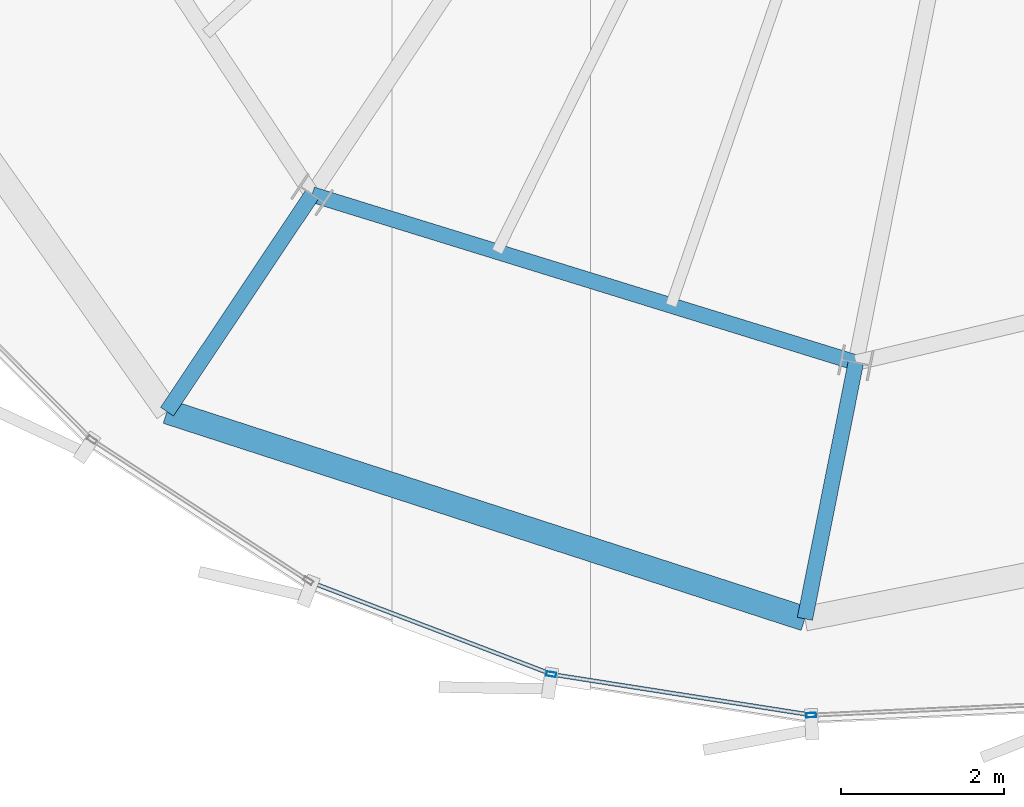
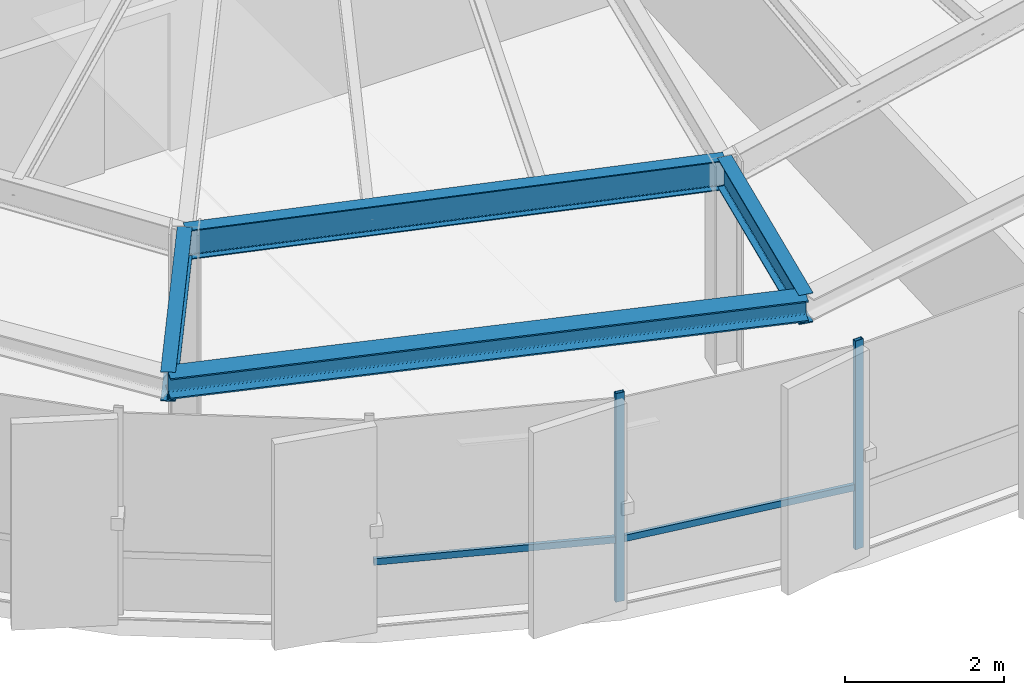
# One storey, part 3 of 31: 4 beams, 4 members, 1 element without a shape of its own.
"""IFC4 building model written with IfcOpenShell, lengths in metres."""

from ifc_helpers import new_model, si_unit, direction, frame, origin, origin_2d, place, context, subcontext, project, spatial, hollow_rectangle, i_section, extrude, source, transform, mapped, material, layer, layer_set, material_profile, profile_set, type_object, element, aggregate, save


model = new_model("IFC4")

# Units and contexts
model_context = context("Model", 3, precision=1e-05, world=origin(), true_north=direction((0.0, 1.0)))
body_context = subcontext(model_context, "Body", "Model", "MODEL_VIEW")
ifc_project = project(units=[si_unit("LENGTHUNIT", "METRE"), si_unit("AREAUNIT", "SQUARE_METRE"), si_unit("VOLUMEUNIT", "CUBIC_METRE"), si_unit("PLANEANGLEUNIT", "RADIAN"), si_unit("MASSUNIT", "GRAM", prefix="KILO"), si_unit("THERMODYNAMICTEMPERATUREUNIT", "KELVIN")], contexts=[model_context])

# Site, building, storey
site_placement = place(None, origin())
site = spatial("IfcSite", under=ifc_project, at=site_placement, CompositionType="ELEMENT")
building_placement = place(site_placement, origin())
building = spatial("IfcBuilding", under=site, at=building_placement, Name="Kethvar Cultural Tower", CompositionType="ELEMENT")
storey_placement = place(building_placement, frame((0.0, 0.0, 287.050048828125)))
storey = spatial("IfcBuildingStorey", under=building, at=storey_placement, Name="L76", CompositionType="ELEMENT", Elevation=287.050048828125)

# Beams
ifc_material_1 = material(Name="Steel S355J2", Category="steel")
ifc_material_profile_1 = material_profile(ifc_material_1, i_section(OverallWidth=0.18994140625, OverallDepth=0.449951171875, WebThickness=0.009521484375, FlangeThickness=0.0146484375, FilletRadius=0.02099609375, at=origin_2d()), Name="Steel S355J2 — IPE450")
ifc_profile_set_1 = profile_set([ifc_material_profile_1], Name="Steel S355J2 — IPE450")
beam_type_1 = type_object("IfcBeamType", Name="BM-IPE450", PredefinedType="BEAM", material=ifc_profile_set_1)
shared_shape_1 = source(origin(), body_context, "Body", "SweptSolid", [
    extrude(i_section(OverallWidth=0.18994140625, OverallDepth=0.449951171875, WebThickness=0.009521484375, FlangeThickness=0.0146484375, FilletRadius=0.02099609375, at=origin_2d()), origin(), (0.0, 0.0, 1.0), 3.199951171875),
])
beam_1_placement = place(storey_placement, frame((36.731201171875, 12.73095703125, 2.98291015625), z_axis=(-0.555580212716, -0.831462943996, 0.0), x_axis=(0.831462943996, -0.555580212716, 0.0)))
element("IfcBeam", 1, at=beam_1_placement, inside=storey, type_object=beam_type_1, Name="L76 Perimeter Cantilever Beam RC-11", PredefinedType="BEAM", context=body_context, shape_type="MappedRepresentation", body=[
    mapped(shared_shape_1, transform((0.0, 0.0, 0.0), scale=1.0)),
])
shared_shape_2 = source(origin(), body_context, "Body", "SweptSolid", [
    extrude(i_section(OverallWidth=0.18994140625, OverallDepth=0.449951171875, WebThickness=0.009521484375, FlangeThickness=0.0146484375, FilletRadius=0.02099609375, at=origin_2d()), origin(), (0.0, 0.0, 1.0), 3.2001953125),
])
beam_2_placement = place(storey_placement, frame((43.392822265625, 10.67138671875, 2.98291015625), z_axis=(-0.195074368086, -0.980788453702, 0.0), x_axis=(0.980788453702, -0.195074368086, 0.0)))
element("IfcBeam", 2, at=beam_2_placement, inside=storey, type_object=beam_type_1, Name="L76 Perimeter Cantilever Beam RC-12", PredefinedType="BEAM", context=body_context, shape_type="MappedRepresentation", body=[
    mapped(shared_shape_2, transform((0.0, 0.0, 0.0), scale=1.0)),
])
shared_shape_3 = source(origin(), body_context, "Body", "SweptSolid", [
    extrude(i_section(OverallWidth=0.18994140625, OverallDepth=0.449951171875, WebThickness=0.009521484375, FlangeThickness=0.0146484375, FilletRadius=0.02099609375, at=origin_2d()), origin(), (0.0, 0.0, 1.0), 6.97265625),
])
beam_3_placement = place(storey_placement, frame((36.731201171875, 12.73095703125, 2.98291015625), z_axis=(0.955381444404, -0.295374839295, 0.0), x_axis=(0.295374839295, 0.955381444404, 0.0)))
element("IfcBeam", 3, at=beam_3_placement, inside=storey, type_object=beam_type_1, Name="L76 Column Ring Tie Beam CR-11", PredefinedType="BEAM", context=body_context, shape_type="MappedRepresentation", body=[
    mapped(shared_shape_3, transform((0.0, 0.0, 0.0), scale=1.0)),
])
ifc_material_profile_2 = material_profile(ifc_material_1, i_section(OverallWidth=0.300048828125, OverallDepth=0.320068359375, WebThickness=0.011474609375, FlangeThickness=0.0205078125, FilletRadius=0.027099609375, at=origin_2d()), Name="Steel S355J2 — HEB320")
ifc_profile_set_2 = profile_set([ifc_material_profile_2], Name="Steel S355J2 — HEB320")
beam_type_2 = type_object("IfcBeamType", Name="BM-SP320", PredefinedType="SPANDREL", material=ifc_profile_set_2)
shared_shape_4 = source(origin(), body_context, "Body", "SweptSolid", [
    extrude(i_section(OverallWidth=0.300048828125, OverallDepth=0.320068359375, WebThickness=0.011474609375, FlangeThickness=0.0205078125, FilletRadius=0.027099609375, at=origin_2d()), origin(), (0.0, 0.0, 1.0), 8.216796875),
])
beam_4_placement = place(storey_placement, frame((34.953369140625, 10.0703125, 3.0478515625), z_axis=(0.951117661456, -0.30882874553, 0.0), x_axis=(0.30882874553, 0.951117661456, 0.0)))
element("IfcBeam", 4, at=beam_4_placement, inside=storey, type_object=beam_type_2, Name="L76 Perimeter Spandrel Beam SP-11", PredefinedType="SPANDREL", context=body_context, shape_type="MappedRepresentation", body=[
    mapped(shared_shape_4, transform((0.0, 0.0, 0.0), scale=1.0)),
])

# Curtain wall, members
ifc_material_2 = material(Name="Aluminium 6063-T6", Category="aluminium")
ifc_layer = layer(ifc_material_2, 0.179931640625, Name="Aluminium 6063-T6", Category="aluminium")
ifc_layer_set = layer_set([ifc_layer], Name="Aluminium 6063-T6 (180 mm)")
curtain_wall_type = type_object("IfcCurtainWallType", Name="CW-SYS-05-Z56", PredefinedType="NOTDEFINED", material=ifc_layer_set)
curtain_wall_placement = place(storey_placement, origin())
curtain_wall = element("IfcCurtainWall", 5, at=curtain_wall_placement, inside=storey, type_object=curtain_wall_type, Name="L76 Curtain Wall Run 04", PredefinedType="NOTDEFINED")
ifc_material_profile_3 = material_profile(ifc_material_2, hollow_rectangle(XDim=0.054931640625, YDim=0.1201171875, WallThickness=0.00390625, at=origin_2d()), Name="Aluminium 6063-T6 — RHS120x55x4")
ifc_profile_set_3 = profile_set([ifc_material_profile_3], Name="Aluminium 6063-T6 — RHS120x55x4")
member_type_1 = type_object("IfcMemberType", Name="CW-SYS-05-Z56-MUL", PredefinedType="MULLION", material=ifc_profile_set_3)
shared_shape_5 = source(origin(), body_context, "Body", "SweptSolid", [
    extrude(hollow_rectangle(XDim=0.054931640625, YDim=0.1201171875, WallThickness=0.00390625, at=origin_2d()), origin(), (0.0, 0.0, 1.0), 3.2099609375),
])
member_1_placement = place(storey_placement, frame((39.6611328125, 6.85302734375, 0.0), z_axis=(0.0, 0.0, 1.0), x_axis=(0.154693143123, 0.987962565825, 0.0)))
member_1 = element("IfcMember", 6, at=member_1_placement, type_object=member_type_1, Name="CW-L76-R04 Mullion 2", PredefinedType="MULLION", context=body_context, shape_type="MappedRepresentation", body=[
    mapped(shared_shape_5, transform((0.0, 0.0, 0.0), scale=1.0)),
])
member_2_placement = place(storey_placement, frame((42.845947265625, 6.352294921875, 0.0), z_axis=(0.0, 0.0, 1.0), x_axis=(-0.045903476556, 0.998945879835, 0.0)))
member_2 = element("IfcMember", 7, at=member_2_placement, type_object=member_type_1, Name="CW-L76-R04 Mullion 3", PredefinedType="MULLION", context=body_context, shape_type="MappedRepresentation", body=[
    mapped(shared_shape_5, transform((0.0, 0.0, 0.0), scale=1.0)),
])
ifc_material_profile_4 = material_profile(ifc_material_2, hollow_rectangle(XDim=0.050048828125, YDim=0.10009765625, WallThickness=0.00390625, at=origin_2d()), Name="Aluminium 6063-T6 — RHS100x50x4")
ifc_profile_set_4 = profile_set([ifc_material_profile_4], Name="Aluminium 6063-T6 — RHS100x50x4")
member_type_2 = type_object("IfcMemberType", Name="CW-SYS-05-Z56-TRN", PredefinedType="USERDEFINED", material=ifc_profile_set_4)
shared_shape_6 = source(origin(), body_context, "Body", "SweptSolid", [
    extrude(hollow_rectangle(XDim=0.050048828125, YDim=0.10009765625, WallThickness=0.00390625, at=origin_2d()), origin(), (0.0, 0.0, 1.0), 3.164794921875),
])
member_3_placement = place(storey_placement, frame((39.7001953125, 6.846923828125, 0.949951171875), z_axis=(0.98796602794, -0.154671030375, 0.0), x_axis=(0.154671030375, 0.98796602794, 0.0)))
member_3 = element("IfcMember", 8, at=member_3_placement, type_object=member_type_2, Name="CW-L76-R04 Transom 2", ObjectType="TRANSOM", PredefinedType="USERDEFINED", context=body_context, shape_type="MappedRepresentation", body=[
    mapped(shared_shape_6, transform((0.0, 0.0, 0.0), scale=1.0)),
])
shared_shape_7 = source(origin(), body_context, "Body", "SweptSolid", [
    extrude(hollow_rectangle(XDim=0.050048828125, YDim=0.10009765625, WallThickness=0.00390625, at=origin_2d()), origin(), (0.0, 0.0, 1.0), 3.11865234375),
])
member_4_placement = place(storey_placement, frame((36.73095703125, 7.974853515625, 0.949951171875), z_axis=(0.934146273024, -0.35689037616, 0.0), x_axis=(0.35689037616, 0.934146273024, 0.0)))
member_4 = element("IfcMember", 9, at=member_4_placement, type_object=member_type_2, Name="CW-L76-R04 Transom 1", ObjectType="TRANSOM", PredefinedType="USERDEFINED", context=body_context, shape_type="MappedRepresentation", body=[
    mapped(shared_shape_7, transform((0.0, 0.0, 0.0), scale=1.0)),
])
aggregate(curtain_wall, [member_1, member_2, member_4, member_3])

save(model, "model.ifc")
